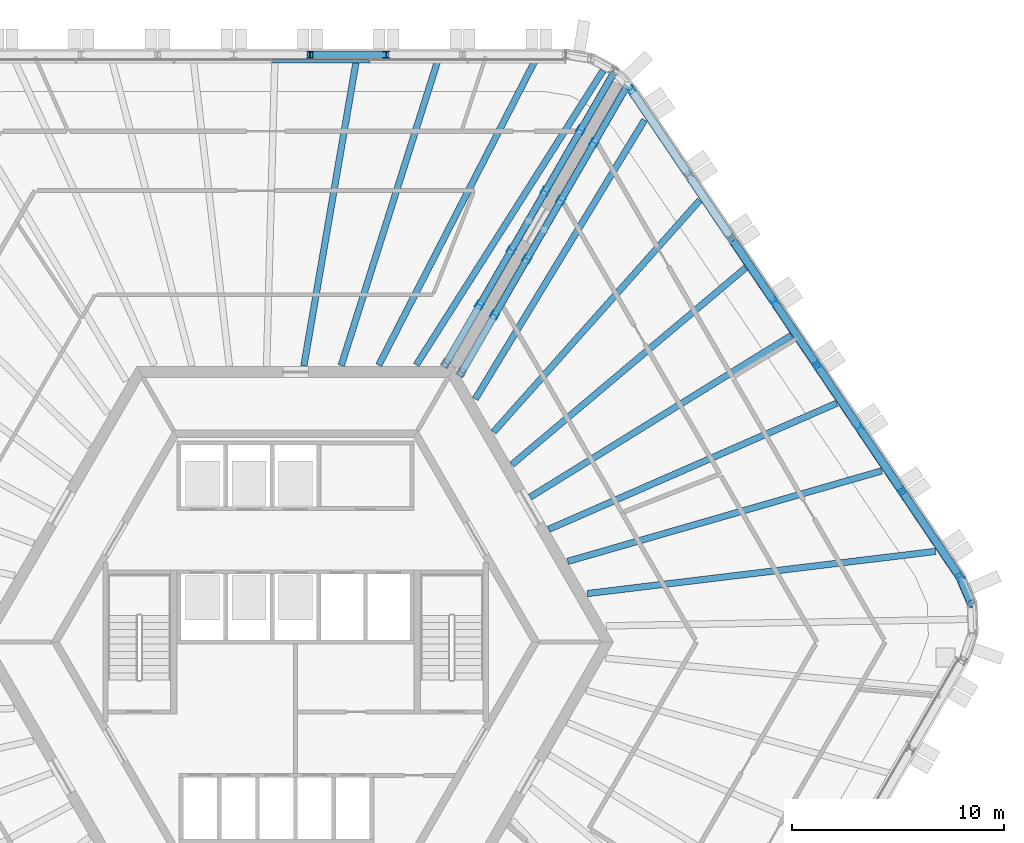
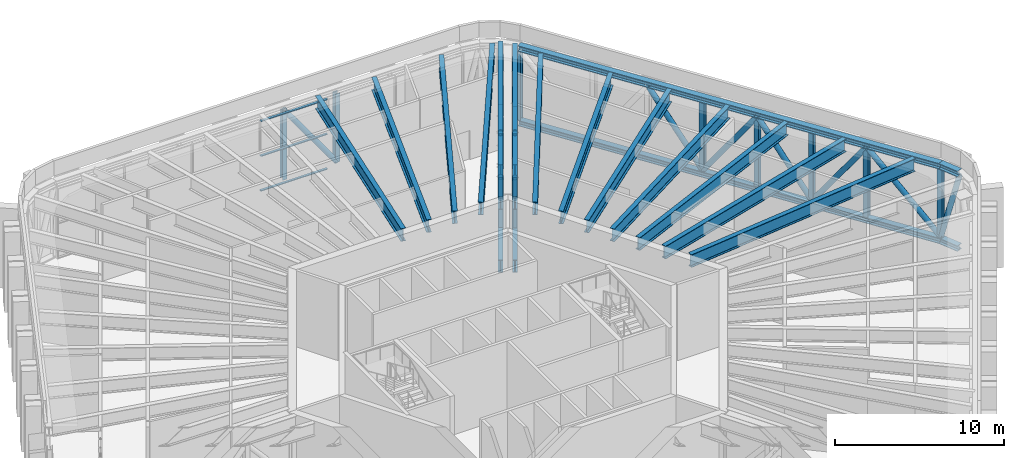
# One storey, part 8 of 24: 48 members, 11 beams, 1 element without a shape of its own.
"""IFC4 building model written with IfcOpenShell, lengths in metres."""

from ifc_helpers import new_model, si_unit, direction, frame, origin, origin_2d, place, context, subcontext, project, spatial, rectangle, hollow_circle, i_section, extrude, material, material_profile, profile_set, type_object, element, aggregate, save


model = new_model("IFC4")

# Units and contexts
model_context = context("Model", 3, precision=1e-05, world=origin(), true_north=direction((0.0, 1.0)))
body_context = subcontext(model_context, "Body", "Model", "MODEL_VIEW")
ifc_project = project(units=[si_unit("LENGTHUNIT", "METRE"), si_unit("AREAUNIT", "SQUARE_METRE"), si_unit("VOLUMEUNIT", "CUBIC_METRE"), si_unit("PLANEANGLEUNIT", "RADIAN"), si_unit("MASSUNIT", "GRAM", prefix="KILO")], contexts=[model_context])

# Site, building, storey
site_placement = place(None, origin())
site = spatial("IfcSite", under=ifc_project, at=site_placement, CompositionType="ELEMENT")
building_placement = place(site_placement, origin())
building = spatial("IfcBuilding", under=site, at=building_placement, Name="Tarnside Tower", CompositionType="ELEMENT")
storey_placement = place(building_placement, frame((0.0, 0.0, 250.199951171875)))
storey = spatial("IfcBuildingStorey", under=building, at=storey_placement, Name="L60", CompositionType="ELEMENT", Elevation=250.199951171875)

# Beams
ifc_material_1 = material(Name="Steel S355", Category="steel")
ifc_material_profile_1 = material_profile(ifc_material_1, i_section(OverallWidth=0.3076171875, OverallDepth=0.926513671875, WebThickness=0.01953125, FlangeThickness=0.031982421875, FilletRadius=0.01904296875, at=origin_2d()), Name="UB 914x305x289")
ifc_profile_set_1 = profile_set([ifc_material_profile_1], Name="Steel S355")
beam_type = type_object("IfcBeamType", Name="Floor beam UB 914x305x289", PredefinedType="BEAM", material=ifc_profile_set_1)
beam_1_placement = place(storey_placement, frame((11.308837890625, 27.4501953125, 5.036865234375), z_axis=(-0.456542968013, -0.889701364705, 0.0), x_axis=(0.889701364705, -0.456542968013, 0.0)))
element("IfcBeam", 1, at=beam_1_placement, inside=storey, type_object=beam_type, Name="Floor beam F1.01", PredefinedType="BEAM", context=body_context, shape_type="SweptSolid", body=[
    extrude(i_section(OverallWidth=0.3076171875, OverallDepth=0.926513671875, WebThickness=0.01953125, FlangeThickness=0.031982421875, FilletRadius=0.01904296875, at=origin_2d()), origin(), (0.0, 0.0, 1.0), 16.161376953125),
])
beam_2_placement = place(storey_placement, frame((6.7177734375, 27.46435546875, 5.036865234375), z_axis=(-0.301728223903, -0.953393978846, 0.0), x_axis=(0.953393978846, -0.301728223903, 0.0)))
element("IfcBeam", 2, at=beam_2_placement, inside=storey, type_object=beam_type, Name="Floor beam F1.02", PredefinedType="BEAM", context=body_context, shape_type="SweptSolid", body=[
    extrude(i_section(OverallWidth=0.3076171875, OverallDepth=0.926513671875, WebThickness=0.01953125, FlangeThickness=0.031982421875, FilletRadius=0.01904296875, at=origin_2d()), origin(), (0.0, 0.0, 1.0), 15.111572265625),
])
beam_3_placement = place(storey_placement, frame((2.87255859375, 27.482177734375, 5.036865234375), z_axis=(-0.169200566806, -0.985581639537, 0.0), x_axis=(0.985581639537, -0.169200566806, 0.0)))
element("IfcBeam", 3, at=beam_3_placement, inside=storey, type_object=beam_type, Name="Floor beam F1.03", PredefinedType="BEAM", context=body_context, shape_type="SweptSolid", body=[
    extrude(i_section(OverallWidth=0.3076171875, OverallDepth=0.926513671875, WebThickness=0.01953125, FlangeThickness=0.031982421875, FilletRadius=0.01904296875, at=origin_2d()), origin(), (0.0, 0.0, 1.0), 14.654052734375),
])
beam_4_placement = place(storey_placement, frame((30.22607421875, 4.277099609375, 5.036865234375), z_axis=(-0.992768300815, -0.120046244825, 0.0), x_axis=(0.120046244825, -0.992768300815, 0.0)))
element("IfcBeam", 4, at=beam_4_placement, inside=storey, type_object=beam_type, Name="Floor beam F6.01", PredefinedType="BEAM", context=body_context, shape_type="SweptSolid", body=[
    extrude(i_section(OverallWidth=0.3076171875, OverallDepth=0.926513671875, WebThickness=0.01953125, FlangeThickness=0.031982421875, FilletRadius=0.01904296875, at=origin_2d()), origin(), (0.0, 0.0, 1.0), 16.57080078125),
])
beam_5_placement = place(storey_placement, frame((27.67822265625, 8.07958984375, 5.036865234375), z_axis=(-0.960888251868, -0.276936395985, 0.0), x_axis=(0.276936395985, -0.960888251868, 0.0)))
element("IfcBeam", 5, at=beam_5_placement, inside=storey, type_object=beam_type, Name="Floor beam F6.02", PredefinedType="BEAM", context=body_context, shape_type="SweptSolid", body=[
    extrude(i_section(OverallWidth=0.3076171875, OverallDepth=0.926513671875, WebThickness=0.01953125, FlangeThickness=0.031982421875, FilletRadius=0.01904296875, at=origin_2d()), origin(), (0.0, 0.0, 1.0), 15.424072265625),
])
beam_6_placement = place(storey_placement, frame((25.546875, 11.271240234375, 5.036865234375), z_axis=(-0.916071931187, -0.401013985905, 0.0), x_axis=(0.401013985905, -0.916071931187, 0.0)))
element("IfcBeam", 6, at=beam_6_placement, inside=storey, type_object=beam_type, Name="Floor beam F6.03", PredefinedType="BEAM", context=body_context, shape_type="SweptSolid", body=[
    extrude(i_section(OverallWidth=0.3076171875, OverallDepth=0.926513671875, WebThickness=0.01953125, FlangeThickness=0.031982421875, FilletRadius=0.01904296875, at=origin_2d()), origin(), (0.0, 0.0, 1.0), 14.831298828125),
])
beam_7_placement = place(storey_placement, frame((23.41162109375, 14.4716796875, 5.036865234375), z_axis=(-0.850442388924, -0.526068192463, 0.0), x_axis=(0.526068192463, -0.850442388924, 0.0)))
element("IfcBeam", 7, at=beam_7_placement, inside=storey, type_object=beam_type, Name="Floor beam F6.04", PredefinedType="BEAM", context=body_context, shape_type="SweptSolid", body=[
    extrude(i_section(OverallWidth=0.3076171875, OverallDepth=0.926513671875, WebThickness=0.01953125, FlangeThickness=0.031982421875, FilletRadius=0.01904296875, at=origin_2d()), origin(), (0.0, 0.0, 1.0), 14.49755859375),
])
beam_8_placement = place(storey_placement, frame((21.25537109375, 17.668701171875, 5.036865234375), z_axis=(-0.765056007777, -0.64396374507, 0.0), x_axis=(0.64396374507, -0.765056007777, 0.0)))
element("IfcBeam", 8, at=beam_8_placement, inside=storey, type_object=beam_type, Name="Floor beam F6.05", PredefinedType="BEAM", context=body_context, shape_type="SweptSolid", body=[
    extrude(i_section(OverallWidth=0.3076171875, OverallDepth=0.926513671875, WebThickness=0.01953125, FlangeThickness=0.031982421875, FilletRadius=0.01904296875, at=origin_2d()), origin(), (0.0, 0.0, 1.0), 14.425537109375),
])
beam_9_placement = place(storey_placement, frame((19.08349609375, 20.85498046875, 5.036865234375), z_axis=(-0.664727051648, -0.747086304792, 0.0), x_axis=(0.747086304792, -0.664727051648, 0.0)))
element("IfcBeam", 9, at=beam_9_placement, inside=storey, type_object=beam_type, Name="Floor beam F6.06", PredefinedType="BEAM", context=body_context, shape_type="SweptSolid", body=[
    extrude(i_section(OverallWidth=0.3076171875, OverallDepth=0.926513671875, WebThickness=0.01953125, FlangeThickness=0.031982421875, FilletRadius=0.01904296875, at=origin_2d()), origin(), (0.0, 0.0, 1.0), 14.640869140625),
])
beam_10_placement = place(storey_placement, frame((16.482421875, 24.650390625, 5.036865234375), z_axis=(-0.518850386253, -0.854865063437, 0.0), x_axis=(0.854865063437, -0.518850386253, 0.0)))
element("IfcBeam", 10, at=beam_10_placement, inside=storey, type_object=beam_type, Name="Floor beam F6.07", PredefinedType="BEAM", context=body_context, shape_type="SweptSolid", body=[
    extrude(i_section(OverallWidth=0.3076171875, OverallDepth=0.926513671875, WebThickness=0.01953125, FlangeThickness=0.031982421875, FilletRadius=0.01904296875, at=origin_2d()), origin(), (0.0, 0.0, 1.0), 15.41064453125),
])
beam_11_placement = place(storey_placement, frame((14.51904296875, 26.97509765625, 5.036865234375), z_axis=(-0.535939982413, -0.844256083929, 0.0), x_axis=(0.844256083929, -0.535939982413, 0.0)))
element("IfcBeam", 11, at=beam_11_placement, inside=storey, type_object=beam_type, Name="Floor beam C6", PredefinedType="BEAM", context=body_context, shape_type="SweptSolid", body=[
    extrude(i_section(OverallWidth=0.3076171875, OverallDepth=0.926513671875, WebThickness=0.01953125, FlangeThickness=0.031982421875, FilletRadius=0.01904296875, at=origin_2d()), origin(), (0.0, 0.0, 1.0), 16.453125),
])

# Members
ifc_material_profile_2 = material_profile(ifc_material_1, i_section(OverallWidth=0.3076171875, OverallDepth=0.926513671875, WebThickness=0.01953125, FlangeThickness=0.031982421875, FilletRadius=0.01904296875, at=origin_2d()), Name="UB 914x305x289")
ifc_profile_set_2 = profile_set([ifc_material_profile_2], Name="Steel S355")
member_type_1 = type_object("IfcMemberType", Name="Outrigger chord UB 914x305x289", PredefinedType="CHORD", material=ifc_profile_set_2)
member_1_placement = place(storey_placement, frame((7.01416015625, 13.0, 5.036865234375), z_axis=(0.499999324124, 0.866025794001, 0.0), x_axis=(-0.866025794001, 0.499999324124, 0.0)))
element("IfcMember", 12, at=member_1_placement, inside=storey, type_object=member_type_1, Name="Outrigger truss top chord OR1A L60", PredefinedType="CHORD", context=body_context, shape_type="SweptSolid", body=[
    extrude(i_section(OverallWidth=0.3076171875, OverallDepth=0.926513671875, WebThickness=0.01953125, FlangeThickness=0.031982421875, FilletRadius=0.01904296875, at=origin_2d()), origin(), (0.0, 0.0, 1.0), 16.080078125),
])
member_2_placement = place(storey_placement, frame((7.01416015625, 13.0, 0.46337890625), z_axis=(0.499988385283, 0.86603210944, 0.0), x_axis=(-0.86603210944, 0.499988385283, 0.0)))
element("IfcMember", 13, at=member_2_placement, inside=storey, type_object=member_type_1, Name="Outrigger truss bottom chord OR1A L60", PredefinedType="CHORD", context=body_context, shape_type="SweptSolid", body=[
    extrude(i_section(OverallWidth=0.3076171875, OverallDepth=0.926513671875, WebThickness=0.01953125, FlangeThickness=0.031982421875, FilletRadius=0.01904296875, at=origin_2d()), origin(), (0.0, 0.0, 1.0), 6.357666015625),
])
member_3_placement = place(storey_placement, frame((11.792724609375, 21.277099609375, 0.46337890625), z_axis=(0.500023772044, 0.866011678553, 0.0), x_axis=(-0.866011678553, 0.500023772044, 0.0)))
element("IfcMember", 14, at=member_3_placement, inside=storey, type_object=member_type_1, Name="Outrigger truss bottom chord OR1A L60", PredefinedType="CHORD", context=body_context, shape_type="SweptSolid", body=[
    extrude(i_section(OverallWidth=0.3076171875, OverallDepth=0.926513671875, WebThickness=0.01953125, FlangeThickness=0.031982421875, FilletRadius=0.01904296875, at=origin_2d()), origin(), (0.0, 0.0, 1.0), 6.522705078125),
])
member_4_placement = place(storey_placement, frame((10.19287109375, 18.505859375, 2.913330078125), z_axis=(0.499971222258, 0.866042017984, 0.0), x_axis=(-0.866042017984, 0.499971222258, 0.0)))
element("IfcMember", 15, at=member_4_placement, inside=storey, type_object=member_type_1, Name="Outrigger truss lintel OR1A L60", PredefinedType="CHORD", context=body_context, shape_type="SweptSolid", body=[
    extrude(i_section(OverallWidth=0.3076171875, OverallDepth=0.926513671875, WebThickness=0.01953125, FlangeThickness=0.031982421875, FilletRadius=0.01904296875, at=origin_2d()), origin(), (0.0, 0.0, 1.0), 3.199951171875),
])
member_5_placement = place(storey_placement, frame((7.751220703125, 12.574462890625, 5.036865234375), z_axis=(0.5000051216, 0.866022446807, 0.0), x_axis=(-0.866022446807, 0.5000051216, 0.0)))
element("IfcMember", 16, at=member_5_placement, inside=storey, type_object=member_type_1, Name="Outrigger truss top chord OR1B L60", PredefinedType="CHORD", context=body_context, shape_type="SweptSolid", body=[
    extrude(i_section(OverallWidth=0.3076171875, OverallDepth=0.926513671875, WebThickness=0.01953125, FlangeThickness=0.031982421875, FilletRadius=0.01904296875, at=origin_2d()), origin(), (0.0, 0.0, 1.0), 15.824951171875),
])
member_6_placement = place(storey_placement, frame((7.751220703125, 12.574462890625, 0.46337890625), z_axis=(0.500017186074, 0.866015481172, 0.0), x_axis=(-0.866015481172, 0.500017186074, 0.0)))
element("IfcMember", 17, at=member_6_placement, inside=storey, type_object=member_type_1, Name="Outrigger truss bottom chord OR1B L60", PredefinedType="CHORD", context=body_context, shape_type="SweptSolid", body=[
    extrude(i_section(OverallWidth=0.3076171875, OverallDepth=0.926513671875, WebThickness=0.01953125, FlangeThickness=0.031982421875, FilletRadius=0.01904296875, at=origin_2d()), origin(), (0.0, 0.0, 1.0), 6.357666015625),
])
member_7_placement = place(storey_placement, frame((12.530029296875, 20.851318359375, 0.46337890625), z_axis=(0.499993323494, 0.866029258433, 0.0), x_axis=(-0.866029258433, 0.499993323494, 0.0)))
element("IfcMember", 18, at=member_7_placement, inside=storey, type_object=member_type_1, Name="Outrigger truss bottom chord OR1B L60", PredefinedType="CHORD", context=body_context, shape_type="SweptSolid", body=[
    extrude(i_section(OverallWidth=0.3076171875, OverallDepth=0.926513671875, WebThickness=0.01953125, FlangeThickness=0.031982421875, FilletRadius=0.01904296875, at=origin_2d()), origin(), (0.0, 0.0, 1.0), 6.267578125),
])
member_8_placement = place(storey_placement, frame((10.93017578125, 18.080322265625, 2.913330078125), z_axis=(0.50000426018, 0.866022944154, 0.0), x_axis=(-0.866022944154, 0.50000426018, 0.0)))
element("IfcMember", 19, at=member_8_placement, inside=storey, type_object=member_type_1, Name="Outrigger truss lintel OR1B L60", PredefinedType="CHORD", context=body_context, shape_type="SweptSolid", body=[
    extrude(i_section(OverallWidth=0.3076171875, OverallDepth=0.926513671875, WebThickness=0.01953125, FlangeThickness=0.031982421875, FilletRadius=0.01904296875, at=origin_2d()), origin(), (0.0, 0.0, 1.0), 3.19970703125),
])
ifc_material_profile_3 = material_profile(ifc_material_1, hollow_circle(Radius=0.161865234375, WallThickness=0.012451171875, at=origin_2d()), Name="CHS 323.9x12.5")
ifc_profile_set_3 = profile_set([ifc_material_profile_3], Name="Steel S355")
member_type_2 = type_object("IfcMemberType", Name="Outrigger diagonal CHS 323.9x12.5", PredefinedType="BRACE", material=ifc_profile_set_3)
member_9_placement = place(storey_placement, frame((8.6923828125, 15.90673828125, 4.573486328125), z_axis=(0.317706711203, 0.550326333788, -0.772142067236), x_axis=(-0.866041993159, 0.49997126526, 0.0)))
element("IfcMember", 20, at=member_9_placement, inside=storey, type_object=member_type_2, Name="Outrigger truss diagonal OR1A 2", PredefinedType="BRACE", context=body_context, shape_type="SweptSolid", body=[
    extrude(hollow_circle(Radius=0.161865234375, WallThickness=0.012451171875, at=origin_2d()), origin(), (0.0, 0.0, 1.0), 4.722900390625),
])
for number, where, z_axis, x_axis, name in (
    (21, (10.19287109375, 18.505859375, 3.376708984375), (0.400427097036, 0.693446376466, 0.598991037434), (-0.865989903783, 0.500061482766, 0.0), "Outrigger truss diagonal OR1A 3"),
    (22, (11.792724609375, 21.277099609375, 3.376708984375), (-0.400290565733, -0.693543727443, 0.598969582792), (0.866094119867, -0.499880961361, 0.0), "Outrigger truss diagonal OR1A 4"),
):
    element("IfcMember", number, at=place(storey_placement, frame(where, z_axis=z_axis, x_axis=x_axis)), inside=storey, type_object=member_type_2, Name=name, PredefinedType="BRACE", context=body_context, shape_type="SweptSolid", body=[
        extrude(hollow_circle(Radius=0.161865234375, WallThickness=0.012451171875, at=origin_2d()), origin(), (0.0, 0.0, 1.0), 1.998046875),
    ])
member_10_placement = place(storey_placement, frame((11.792724609375, 21.277099609375, 4.573486328125), z_axis=(0.337816590563, 0.585058452359, -0.737283228118), x_axis=(-0.866004293071, 0.500036563046, 0.0)))
element("IfcMember", 23, at=member_10_placement, inside=storey, type_object=member_type_2, Name="Outrigger truss diagonal OR1A 5", PredefinedType="BRACE", context=body_context, shape_type="SweptSolid", body=[
    extrude(hollow_circle(Radius=0.161865234375, WallThickness=0.012451171875, at=origin_2d()), origin(), (0.0, 0.0, 1.0), 4.9462890625),
])
member_11_placement = place(storey_placement, frame((13.463623046875, 24.1708984375, 0.9267578125), z_axis=(0.328685178526, 0.569283738218, 0.753579510614), x_axis=(-0.866019436383, 0.5000103357, 0.0)))
element("IfcMember", 24, at=member_11_placement, inside=storey, type_object=member_type_2, Name="Outrigger truss diagonal OR1A 6", PredefinedType="BRACE", context=body_context, shape_type="SweptSolid", body=[
    extrude(hollow_circle(Radius=0.161865234375, WallThickness=0.012451171875, at=origin_2d()), origin(), (0.0, 0.0, 1.0), 4.839111328125),
])
member_12_placement = place(storey_placement, frame((9.404052734375, 15.43701171875, 4.573486328125), z_axis=(0.320917538994, 0.555842936281, -0.766844549666), x_axis=(-0.866024411976, 0.500001717859, 0.0)))
element("IfcMember", 25, at=member_12_placement, inside=storey, type_object=member_type_2, Name="Outrigger truss diagonal OR1B 2", PredefinedType="BRACE", context=body_context, shape_type="SweptSolid", body=[
    extrude(hollow_circle(Radius=0.161865234375, WallThickness=0.012451171875, at=origin_2d()), origin(), (0.0, 0.0, 1.0), 4.755615234375),
])
member_13_placement = place(storey_placement, frame((10.93017578125, 18.080322265625, 3.376708984375), z_axis=(0.400324488996, 0.693480303739, 0.599020343424), x_axis=(-0.866055983265, 0.499947031044, 0.0)))
element("IfcMember", 26, at=member_13_placement, inside=storey, type_object=member_type_2, Name="Outrigger truss diagonal OR1B 3", PredefinedType="BRACE", context=body_context, shape_type="SweptSolid", body=[
    extrude(hollow_circle(Radius=0.161865234375, WallThickness=0.012451171875, at=origin_2d()), origin(), (0.0, 0.0, 1.0), 1.997802734375),
])
member_14_placement = place(storey_placement, frame((12.530029296875, 20.851318359375, 3.376708984375), z_axis=(-0.400427097036, -0.693446376466, 0.598991037434), x_axis=(0.865989903783, -0.500061482766, 0.0)))
element("IfcMember", 27, at=member_14_placement, inside=storey, type_object=member_type_2, Name="Outrigger truss diagonal OR1B 4", PredefinedType="BRACE", context=body_context, shape_type="SweptSolid", body=[
    extrude(hollow_circle(Radius=0.161865234375, WallThickness=0.012451171875, at=origin_2d()), origin(), (0.0, 0.0, 1.0), 1.998046875),
])
member_15_placement = place(storey_placement, frame((12.530029296875, 20.851318359375, 4.573486328125), z_axis=(0.32610190191, 0.56486776691, -0.758011843889), x_axis=(-0.866041771645, 0.499971648962, 0.0)))
element("IfcMember", 28, at=member_15_placement, inside=storey, type_object=member_type_2, Name="Outrigger truss diagonal OR1B 5", PredefinedType="BRACE", context=body_context, shape_type="SweptSolid", body=[
    extrude(hollow_circle(Radius=0.161865234375, WallThickness=0.012451171875, at=origin_2d()), origin(), (0.0, 0.0, 1.0), 4.810791015625),
])
member_16_placement = place(storey_placement, frame((14.098876953125, 23.56884765625, 0.9267578125), z_axis=(0.325646615717, 0.564013842073, 0.758842979557), x_axis=(-0.866016712352, 0.5000150537, 0.0)))
element("IfcMember", 29, at=member_16_placement, inside=storey, type_object=member_type_2, Name="Outrigger truss diagonal OR1B 6", PredefinedType="BRACE", context=body_context, shape_type="SweptSolid", body=[
    extrude(hollow_circle(Radius=0.161865234375, WallThickness=0.012451171875, at=origin_2d()), origin(), (0.0, 0.0, 1.0), 4.8056640625),
])
ifc_material_profile_4 = material_profile(ifc_material_1, i_section(OverallWidth=0.311279296875, OverallDepth=0.3271484375, WebThickness=0.015869140625, FlangeThickness=0.02490234375, FilletRadius=0.01513671875, at=origin_2d()), Name="UC 305x305x158")
ifc_profile_set_4 = profile_set([ifc_material_profile_4], Name="Steel S355")
member_type_3 = type_object("IfcMemberType", Name="Outrigger post UC 305x305x158", PredefinedType="POST", material=ifc_profile_set_4)
member_17_placement = place(storey_placement, frame((8.6923828125, 15.90673828125, 0.9267578125), z_axis=(0.0, 0.0, 1.0), x_axis=(0.5, 0.866025403784, 0.0)))
element("IfcMember", 30, at=member_17_placement, inside=storey, type_object=member_type_3, Name="Outrigger truss post OR1A 2", PredefinedType="POST", context=body_context, shape_type="SweptSolid", body=[
    extrude(i_section(OverallWidth=0.311279296875, OverallDepth=0.3271484375, WebThickness=0.015869140625, FlangeThickness=0.02490234375, FilletRadius=0.01513671875, at=origin_2d()), origin(), (0.0, 0.0, 1.0), 3.646728515625),
])
for number, where, z_axis, x_axis, name in (
    (31, (10.19287109375, 18.505859375, 0.9267578125), (0.0, 0.0, 1.0), (0.5, 0.866025403784, 0.0), "Outrigger truss post OR1A 3"),
    (32, (11.792724609375, 21.277099609375, 0.9267578125), (0.0, 0.0, 1.0), (0.5, 0.866025403784, 0.0), "Outrigger truss post OR1A 4"),
):
    element("IfcMember", number, at=place(storey_placement, frame(where, z_axis=z_axis, x_axis=x_axis)), inside=storey, type_object=member_type_3, Name=name, PredefinedType="POST", context=body_context, shape_type="SweptSolid", body=[
        extrude(i_section(OverallWidth=0.311279296875, OverallDepth=0.3271484375, WebThickness=0.015869140625, FlangeThickness=0.02490234375, FilletRadius=0.01513671875, at=origin_2d()), origin(), (0.0, 0.0, 1.0), 1.523193359375),
    ])
for number, where, z_axis, x_axis, name in (
    (33, (13.463623046875, 24.1708984375, 0.9267578125), (0.0, 0.0, 1.0), (0.5, 0.866025403784, 0.0), "Outrigger truss post OR1A 5"),
    (34, (9.404052734375, 15.43701171875, 0.9267578125), (0.0, 0.0, 1.0), (0.5, 0.866025403784, 0.0), "Outrigger truss post OR1B 2"),
):
    element("IfcMember", number, at=place(storey_placement, frame(where, z_axis=z_axis, x_axis=x_axis)), inside=storey, type_object=member_type_3, Name=name, PredefinedType="POST", context=body_context, shape_type="SweptSolid", body=[
        extrude(i_section(OverallWidth=0.311279296875, OverallDepth=0.3271484375, WebThickness=0.015869140625, FlangeThickness=0.02490234375, FilletRadius=0.01513671875, at=origin_2d()), origin(), (0.0, 0.0, 1.0), 3.646728515625),
    ])
for number, where, z_axis, x_axis, name in (
    (35, (10.93017578125, 18.080322265625, 0.9267578125), (0.0, 0.0, 1.0), (0.5, 0.866025403784, 0.0), "Outrigger truss post OR1B 3"),
    (36, (12.530029296875, 20.851318359375, 0.9267578125), (0.0, 0.0, 1.0), (0.5, 0.866025403784, 0.0), "Outrigger truss post OR1B 4"),
):
    element("IfcMember", number, at=place(storey_placement, frame(where, z_axis=z_axis, x_axis=x_axis)), inside=storey, type_object=member_type_3, Name=name, PredefinedType="POST", context=body_context, shape_type="SweptSolid", body=[
        extrude(i_section(OverallWidth=0.311279296875, OverallDepth=0.3271484375, WebThickness=0.015869140625, FlangeThickness=0.02490234375, FilletRadius=0.01513671875, at=origin_2d()), origin(), (0.0, 0.0, 1.0), 1.523193359375),
    ])
member_18_placement = place(storey_placement, frame((14.098876953125, 23.56884765625, 0.9267578125), z_axis=(0.0, 0.0, 1.0), x_axis=(0.5, 0.866025403784, 0.0)))
element("IfcMember", 37, at=member_18_placement, inside=storey, type_object=member_type_3, Name="Outrigger truss post OR1B 5", PredefinedType="POST", context=body_context, shape_type="SweptSolid", body=[
    extrude(i_section(OverallWidth=0.311279296875, OverallDepth=0.3271484375, WebThickness=0.015869140625, FlangeThickness=0.02490234375, FilletRadius=0.01513671875, at=origin_2d()), origin(), (0.0, 0.0, 1.0), 3.646728515625),
])

# Curtain wall, members
ifc_material_2 = material(Name="Sky lobby glazing wall", Category="glass")
curtain_wall_type = type_object("IfcCurtainWallType", Name="Sky lobby glazing wall", PredefinedType="NOTDEFINED", material=ifc_material_2)
curtain_wall_placement = place(storey_placement, origin())
curtain_wall = element("IfcCurtainWall", 38, at=curtain_wall_placement, inside=storey, type_object=curtain_wall_type, Name="Sky lobby glazing L60 F1", PredefinedType="NOTDEFINED")
ifc_material_3 = material(Name="Aluminium alloy 6063", Category="aluminium")
ifc_material_profile_5 = material_profile(ifc_material_3, rectangle(XDim=0.159912109375, YDim=0.06005859375, at=origin_2d()), Name="Sky lobby glazing transom 60 x 160")
ifc_profile_set_5 = profile_set([ifc_material_profile_5], Name="Aluminium alloy 6063")
member_type_4 = type_object("IfcMemberType", Name="Sky lobby glazing transom 60 x 160", PredefinedType="USERDEFINED", material=ifc_profile_set_5)
member_19_placement = place(storey_placement, frame((3.478515625, 27.42138671875, 0.030029296875), z_axis=(-1.0, 0.0, 0.0), x_axis=(0.0, -1.0, 0.0)))
member_19 = element("IfcMember", 39, at=member_19_placement, type_object=member_type_4, Name="CW4 transom 3.1", ObjectType="TRANSOM", PredefinedType="USERDEFINED", context=body_context, shape_type="SweptSolid", body=[
    extrude(rectangle(XDim=0.159912109375, YDim=0.06005859375, at=origin_2d()), origin(), (0.0, 0.0, 1.0), 4.56640625),
])
member_20_placement = place(storey_placement, frame((3.478515625, 27.42138671875, 2.54052734375), z_axis=(-1.0, 0.0, 0.0), x_axis=(0.0, -1.0, 0.0)))
member_20 = element("IfcMember", 40, at=member_20_placement, type_object=member_type_4, Name="CW4 transom 3.2", ObjectType="TRANSOM", PredefinedType="USERDEFINED", context=body_context, shape_type="SweptSolid", body=[
    extrude(rectangle(XDim=0.159912109375, YDim=0.06005859375, at=origin_2d()), origin(), (0.0, 0.0, 1.0), 4.56640625),
])
member_21_placement = place(storey_placement, frame((3.478515625, 27.42138671875, 5.051025390625), z_axis=(-1.0, 0.0, 0.0), x_axis=(0.0, -1.0, 0.0)))
member_21 = element("IfcMember", 41, at=member_21_placement, type_object=member_type_4, Name="CW4 transom 3.3", ObjectType="TRANSOM", PredefinedType="USERDEFINED", context=body_context, shape_type="SweptSolid", body=[
    extrude(rectangle(XDim=0.159912109375, YDim=0.06005859375, at=origin_2d()), origin(), (0.0, 0.0, 1.0), 4.56640625),
])
aggregate(curtain_wall, [member_19, member_20, member_21])

# Members
ifc_material_profile_6 = material_profile(ifc_material_1, i_section(OverallWidth=0.403076171875, OverallDepth=0.406494140625, WebThickness=0.026611328125, FlangeThickness=0.04296875, FilletRadius=0.01513671875, at=origin_2d()), Name="UC 356x406x340")
ifc_profile_set_6 = profile_set([ifc_material_profile_6], Name="Steel S355")
member_type_5 = type_object("IfcMemberType", Name="Truss chord UC 356x406x340", PredefinedType="CHORD", material=ifc_profile_set_6)
member_22_placement = place(storey_placement, frame((31.91748046875, 1.804443359375, -0.0966796875), z_axis=(-0.396161342798, 0.918180913803, 0.0), x_axis=(-0.918180913803, -0.396161342798, 0.0)))
element("IfcMember", 42, at=member_22_placement, inside=storey, type_object=member_type_5, Name="Belt truss bottom chord L60 corner5.3", PredefinedType="CHORD", context=body_context, shape_type="SweptSolid", body=[
    extrude(i_section(OverallWidth=0.403076171875, OverallDepth=0.406494140625, WebThickness=0.026611328125, FlangeThickness=0.04296875, FilletRadius=0.01513671875, at=origin_2d()), origin(), (0.0, 0.0, 1.0), 1.379150390625),
])
member_23_placement = place(storey_placement, frame((31.37109375, 3.07080078125, -0.0966796875), z_axis=(-0.559193968736, 0.829036854024, 0.0), x_axis=(-0.829036854024, -0.559193968736, 0.0)))
element("IfcMember", 43, at=member_23_placement, inside=storey, type_object=member_type_5, Name="Belt truss bottom chord L60 run", PredefinedType="CHORD", context=body_context, shape_type="SweptSolid", body=[
    extrude(i_section(OverallWidth=0.403076171875, OverallDepth=0.406494140625, WebThickness=0.026611328125, FlangeThickness=0.04296875, FilletRadius=0.01513671875, at=origin_2d()), origin(), (0.0, 0.0, 1.0), 27.7578125),
])
ifc_material_profile_7 = material_profile(ifc_material_1, i_section(OverallWidth=0.406982421875, OverallDepth=0.4189453125, WebThickness=0.030517578125, FlangeThickness=0.04931640625, FilletRadius=0.01513671875, at=origin_2d()), Name="UC 356x406x393")
ifc_profile_set_7 = profile_set([ifc_material_profile_7], Name="Steel S355")
member_type_6 = type_object("IfcMemberType", Name="Truss chord UC 356x406x393", PredefinedType="CHORD", material=ifc_profile_set_7)
member_24_placement = place(storey_placement, frame((31.91748046875, 1.804443359375, 5.29052734375), z_axis=(-0.396161342798, 0.918180913803, 0.0), x_axis=(-0.918180913803, -0.396161342798, 0.0)))
element("IfcMember", 44, at=member_24_placement, inside=storey, type_object=member_type_6, Name="Belt truss top chord L60 corner5.3", PredefinedType="CHORD", context=body_context, shape_type="SweptSolid", body=[
    extrude(i_section(OverallWidth=0.406982421875, OverallDepth=0.4189453125, WebThickness=0.030517578125, FlangeThickness=0.04931640625, FilletRadius=0.01513671875, at=origin_2d()), origin(), (0.0, 0.0, 1.0), 1.379150390625),
])
member_25_placement = place(storey_placement, frame((31.37109375, 3.07080078125, 5.29052734375), z_axis=(-0.559193968736, 0.829036854024, 0.0), x_axis=(-0.829036854024, -0.559193968736, 0.0)))
element("IfcMember", 45, at=member_25_placement, inside=storey, type_object=member_type_6, Name="Belt truss top chord L60 run", PredefinedType="CHORD", context=body_context, shape_type="SweptSolid", body=[
    extrude(i_section(OverallWidth=0.406982421875, OverallDepth=0.4189453125, WebThickness=0.030517578125, FlangeThickness=0.04931640625, FilletRadius=0.01513671875, at=origin_2d()), origin(), (0.0, 0.0, 1.0), 27.7578125),
])
ifc_material_profile_8 = material_profile(ifc_material_1, hollow_circle(Radius=0.177734375, WallThickness=0.01611328125, at=origin_2d()), Name="CHS 355.6x16")
ifc_profile_set_8 = profile_set([ifc_material_profile_8], Name="Steel S355")
member_type_7 = type_object("IfcMemberType", Name="Truss diagonal CHS 355.6x16", PredefinedType="BRACE", material=ifc_profile_set_8)
member_26_placement = place(storey_placement, frame((4.281982421875, 27.72509765625, 0.1064453125), z_axis=(-0.586248059909, 0.0, 0.810131601811), x_axis=(0.0, -1.0, 0.0)))
element("IfcMember", 46, at=member_26_placement, inside=storey, type_object=member_type_7, Name="Belt truss diagonal L60 3", PredefinedType="BRACE", context=body_context, shape_type="SweptSolid", body=[
    extrude(hollow_circle(Radius=0.177734375, WallThickness=0.01611328125, at=origin_2d()), origin(), (0.0, 0.0, 1.0), 6.140380859375),
])
member_27_placement = place(storey_placement, frame((31.91748046875, 1.804443359375, 5.0810546875), z_axis=(-0.105842522342, 0.245310618136, -0.963649345506), x_axis=(-0.918180913803, -0.396161342798, 0.0)))
element("IfcMember", 47, at=member_27_placement, inside=storey, type_object=member_type_7, Name="Belt truss diagonal L60 50", PredefinedType="BRACE", context=body_context, shape_type="SweptSolid", body=[
    extrude(hollow_circle(Radius=0.177734375, WallThickness=0.01611328125, at=origin_2d()), origin(), (0.0, 0.0, 1.0), 5.162353515625),
])
member_28_placement = place(storey_placement, frame((31.37109375, 3.07080078125, 0.1064453125), z_axis=(-0.391527031915, 0.580492960241, 0.713956935949), x_axis=(-0.829051088141, -0.559172865268, 0.0)))
element("IfcMember", 48, at=member_28_placement, inside=storey, type_object=member_type_7, Name="Belt truss diagonal L60 51", PredefinedType="BRACE", context=body_context, shape_type="SweptSolid", body=[
    extrude(hollow_circle(Radius=0.177734375, WallThickness=0.01611328125, at=origin_2d()), origin(), (0.0, 0.0, 1.0), 6.9677734375),
])
for number, where, z_axis, x_axis, name in (
    (49, (28.64306640625, 7.115478515625, 5.0810546875), (-0.327845289521, 0.486042767935, -0.810111037992), (-0.829033379241, -0.559199120264, 0.0), "Belt truss diagonal L60 52"),
    (50, (26.6298828125, 10.10009765625, 0.1064453125), (-0.327851624773, 0.486012401313, 0.810126692502), (-0.829012171582, -0.559230560117, 0.0), "Belt truss diagonal L60 53"),
    (51, (24.61669921875, 13.08447265625, 5.0810546875), (-0.327809804029, 0.486049103002, -0.810121596955), (-0.829064817611, -0.559152508892, 0.0), "Belt truss diagonal L60 54"),
    (52, (22.603759765625, 16.069091796875, 0.1064453125), (-0.327845289521, 0.486042767935, 0.810111037992), (-0.829033379241, -0.559199120264, 0.0), "Belt truss diagonal L60 55"),
):
    element("IfcMember", number, at=place(storey_placement, frame(where, z_axis=z_axis, x_axis=x_axis)), inside=storey, type_object=member_type_7, Name=name, PredefinedType="BRACE", context=body_context, shape_type="SweptSolid", body=[
        extrude(hollow_circle(Radius=0.177734375, WallThickness=0.01611328125, at=origin_2d()), origin(), (0.0, 0.0, 1.0), 6.140625),
    ])
ifc_material_profile_9 = material_profile(ifc_material_1, i_section(OverallWidth=0.311279296875, OverallDepth=0.3271484375, WebThickness=0.015869140625, FlangeThickness=0.02490234375, FilletRadius=0.01513671875, at=origin_2d()), Name="UC 305x305x158")
ifc_profile_set_9 = profile_set([ifc_material_profile_9], Name="Steel S355")
member_type_8 = type_object("IfcMemberType", Name="Truss post UC 305x305x158", PredefinedType="POST", material=ifc_profile_set_9)
for number, where, z_axis, x_axis, name in (
    (53, (4.281982421875, 27.72509765625, 0.1064453125), (0.0, 0.0, 1.0), (-1.0, 0.0, 0.0), "Belt truss post L60 3"),
    (54, (0.68212890625, 27.72509765625, 0.1064453125), (0.0, 0.0, 1.0), (-1.0, 0.0, 0.0), "Belt truss post L60 4"),
    (55, (31.37109375, 3.07080078125, 0.1064453125), (0.0, 0.0, 1.0), (-0.559192903471, 0.829037572555, 0.0), "Belt truss post L60 51"),
    (56, (28.64306640625, 7.115478515625, 0.1064453125), (0.0, 0.0, 1.0), (-0.559192903471, 0.829037572555, 0.0), "Belt truss post L60 52"),
    (57, (26.6298828125, 10.10009765625, 0.1064453125), (0.0, 0.0, 1.0), (-0.559192903471, 0.829037572555, 0.0), "Belt truss post L60 53"),
    (58, (24.61669921875, 13.08447265625, 0.1064453125), (0.0, 0.0, 1.0), (-0.559192903471, 0.829037572555, 0.0), "Belt truss post L60 54"),
    (59, (22.603759765625, 16.069091796875, 0.1064453125), (0.0, 0.0, 1.0), (-0.559192903471, 0.829037572555, 0.0), "Belt truss post L60 55"),
    (60, (15.84912109375, 26.0830078125, 0.1064453125), (0.0, 0.0, 1.0), (-0.559192903471, 0.829037572555, 0.0), "Belt truss post L60 58"),
):
    element("IfcMember", number, at=place(storey_placement, frame(where, z_axis=z_axis, x_axis=x_axis)), inside=storey, type_object=member_type_8, Name=name, PredefinedType="POST", context=body_context, shape_type="SweptSolid", body=[
        extrude(i_section(OverallWidth=0.311279296875, OverallDepth=0.3271484375, WebThickness=0.015869140625, FlangeThickness=0.02490234375, FilletRadius=0.01513671875, at=origin_2d()), origin(), (0.0, 0.0, 1.0), 4.974609375),
    ])

save(model, "model.ifc")
